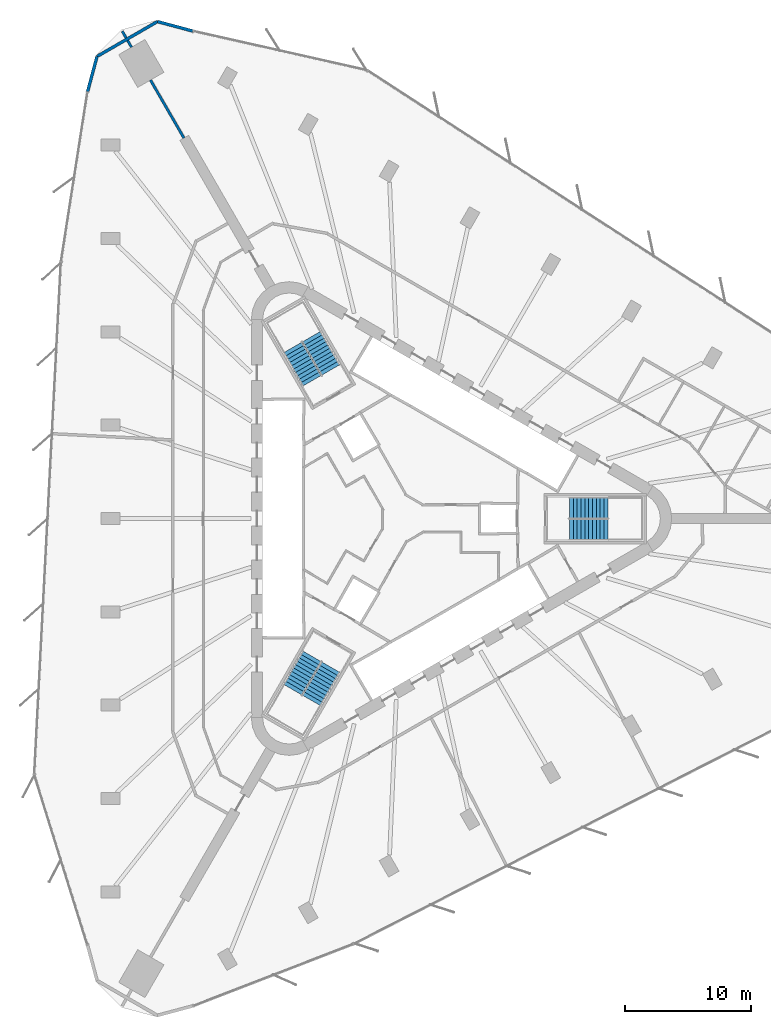
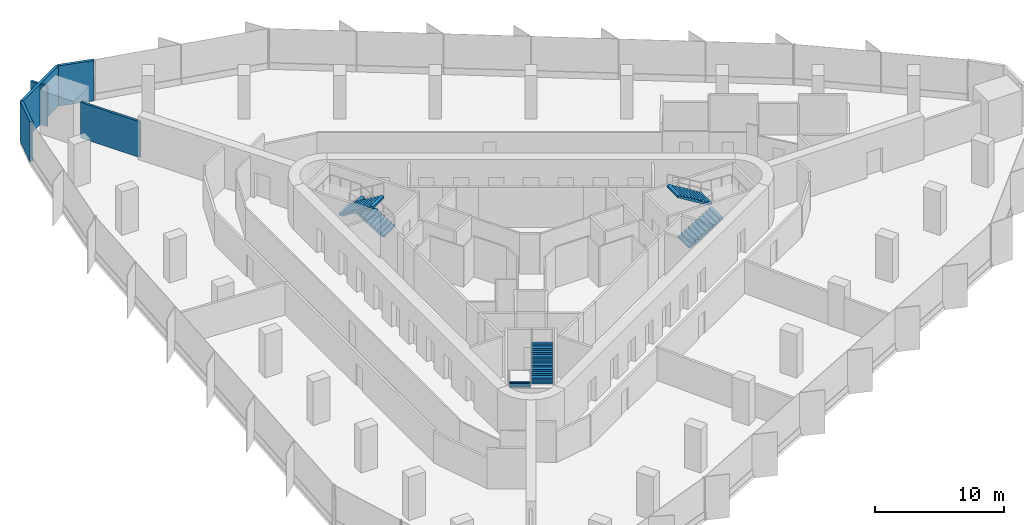
# One storey, part 13 of 14: 6 stair flights, 6 walls, 3 elements without a shape of their own.
"""IFC4 building model written with IfcOpenShell, lengths in metres."""

from ifc_helpers import new_model, si_unit, direction, frame, frame_2d, origin, place, context, subcontext, project, spatial, polyline, rectangle, outline, extrude, material, layer, layer_set, type_object, element, aggregate, save


model = new_model("IFC4")

# Units and contexts
model_context = context("Model", 3, precision=1e-05, world=origin(), true_north=direction((0.0, 1.0)))
body_context = subcontext(model_context, "Body", "Model", "MODEL_VIEW")
ifc_project = project(units=[si_unit("LENGTHUNIT", "METRE"), si_unit("AREAUNIT", "SQUARE_METRE"), si_unit("VOLUMEUNIT", "CUBIC_METRE"), si_unit("PLANEANGLEUNIT", "RADIAN"), si_unit("MASSUNIT", "GRAM", prefix="KILO")], contexts=[model_context])

# Site, building, storey
site_placement = place(None, origin())
site = spatial("IfcSite", under=ifc_project, at=site_placement, CompositionType="ELEMENT")
building_placement = place(site_placement, origin())
building = spatial("IfcBuilding", under=site, at=building_placement, Name="Tanit Gate Tower", CompositionType="ELEMENT")
storey_placement = place(building_placement, frame((0.0, 0.0, 78.300048828125)))
storey = spatial("IfcBuildingStorey", under=building, at=storey_placement, Name="L15", CompositionType="ELEMENT", Elevation=78.300048828125)

# Walls
ifc_material_1 = material(Name="Concrete C30/37 with bronze anodised aluminium cladding", Category="concrete")
ifc_layer_1 = layer(ifc_material_1, 0.239990234375)
ifc_layer_set_1 = layer_set([ifc_layer_1], Name="Facade wall bronze clad 240")
wall_type_1 = type_object("IfcWallType", Name="Facade wall bronze clad 240", PredefinedType="SOLIDWALL", material=ifc_layer_set_1)
wall_1_placement = place(storey_placement, frame((-16.7314453125, 38.608642578125, 0.0), z_axis=(0.0, 0.0, 1.0), x_axis=(-0.965920971701, 0.258837161991, 0.0)))
element("IfcWall", 1, at=wall_1_placement, inside=storey, type_object=wall_type_1, Name="Bronze-clad facade wall L15 NW.arc1", PredefinedType="SOLIDWALL", context=body_context, shape_type="SweptSolid", body=[
    extrude(rectangle(XDim=2.8974609375, YDim=0.239990234375, at=frame_2d((1.44873046875, 0.0))), origin(), (0.0, 0.0, 1.0), 3.800048828125),
])
wall_2_placement = place(storey_placement, frame((-19.5302734375, 39.358642578125, 0.0), z_axis=(0.0, 0.0, 1.0), x_axis=(-0.866017993231, -0.500012835235, 0.0)))
element("IfcWall", 2, at=wall_2_placement, inside=storey, type_object=wall_type_1, Name="Bronze-clad facade wall L15 NW.arc2", PredefinedType="SOLIDWALL", context=body_context, shape_type="SweptSolid", body=[
    extrude(rectangle(XDim=5.531005859375, YDim=0.239990234375, at=frame_2d((2.765625, 0.0))), origin(), (0.0, 0.0, 1.0), 3.800048828125),
])
wall_3_placement = place(storey_placement, frame((-24.3203125, 36.593017578125, 0.0), z_axis=(0.0, 0.0, 1.0), x_axis=(-0.258867040904, -0.965912964575, 0.0)))
element("IfcWall", 3, at=wall_3_placement, inside=storey, type_object=wall_type_1, Name="Bronze-clad facade wall L15 NW.arc3", PredefinedType="SOLIDWALL", context=body_context, shape_type="SweptSolid", body=[
    extrude(rectangle(XDim=2.888671875, YDim=0.239990234375, at=frame_2d((1.4443359375, 0.0))), origin(), (0.0, 0.0, 1.0), 3.800048828125),
])
ifc_material_2 = material(Name="Fire-rated gypsum board partition")
ifc_layer_2 = layer(ifc_material_2, 0.199951171875)
ifc_layer_set_2 = layer_set([ifc_layer_2], Name="INT-WALL-COMPARTMENT")
wall_type_2 = type_object("IfcWallType", Name="INT-WALL-COMPARTMENT", PredefinedType="PARTITIONING", material=ifc_layer_set_2)
wall_4_placement = place(storey_placement, frame((-22.31787109375, 38.595703125, 0.0), z_axis=(0.0, 0.0, 1.0), x_axis=(0.500078582497, -0.865980029404, 0.0)))
element("IfcWall", 4, at=wall_4_placement, inside=storey, type_object=wall_type_2, Name="Wall Compartment W112", PredefinedType="PARTITIONING", context=body_context, shape_type="SweptSolid", body=[
    extrude(rectangle(XDim=0.61328125, YDim=0.199951171875, at=frame_2d((0.306640625, 0.0))), origin(), (0.0, 0.0, 1.0), 3.800048828125),
])
wall_5_placement = place(storey_placement, frame((-21.891357421875, 37.85693359375, 0.0), z_axis=(0.0, 0.0, 1.0), x_axis=(0.49994015576, -0.866059952115, 0.0)))
element("IfcWall", 5, at=wall_5_placement, inside=storey, type_object=wall_type_2, Name="Wall Compartment W112x1", PredefinedType="PARTITIONING", context=body_context, shape_type="SweptSolid", body=[
    extrude(rectangle(XDim=0.61474609375, YDim=0.199951171875, at=frame_2d((0.307373046875, 0.0))), origin(), (0.0, 0.0, 1.0), 3.800048828125),
])
wall_6_placement = place(storey_placement, frame((-20.083984375, 34.7265625, 0.0), z_axis=(0.0, 0.0, 1.0), x_axis=(0.499991120112, -0.86603053053, 0.0)))
element("IfcWall", 6, at=wall_6_placement, inside=storey, type_object=wall_type_2, Name="Wall Compartment W113", PredefinedType="PARTITIONING", context=body_context, shape_type="SweptSolid", body=[
    extrude(rectangle(XDim=5.29638671875, YDim=0.199951171875, at=frame_2d((2.648193359375, 0.0))), origin(), (0.0, 0.0, 1.0), 3.369873046875),
])

# Stair, stair flights
ifc_material_3 = material(Name="Concrete C40/50", Category="concrete")
stair_type = type_object("IfcStairType", Name="INT-STAIR-EXIT", PredefinedType="HALF_TURN_STAIR", material=ifc_material_3)
stair_1_placement = place(storey_placement, origin())
stair_1 = element("IfcStair", 7, at=stair_1_placement, inside=storey, type_object=stair_type, Name="L15 STAIR S1", PredefinedType="HALF_TURN_STAIR")
ifc_material_4 = material(Name="Concrete C40/50", Category="concrete")
stair_flight_type = type_object("IfcStairFlightType", Name="INT-STAIR-FLIGHT", PredefinedType="STRAIGHT", material=ifc_material_4)
stair_flight_1_placement = place(storey_placement, frame((13.094970703125, -0.8525390625, 0.0), z_axis=(0.0, 0.0, 1.0), x_axis=(1.0, 0.0, 0.0)))
stair_flight_1 = element("IfcStairFlight", 8, at=stair_flight_1_placement, type_object=stair_flight_type, Name="S1 flight 1", NumberOfRisers=11, NumberOfTreads=10, PredefinedType="STRAIGHT", RiserHeight=0.186363636, TreadLength=0.3051, context=body_context, shape_type="SweptSolid", body=[
    extrude(outline(polyline([(0.0, 0.0), (0.0, 0.186279296875), (0.30517578125, 0.186279296875), (0.30517578125, 0.372802734375), (0.610107421875, 0.372802734375), (0.610107421875, 0.55908203125), (0.915283203125, 0.55908203125), (0.915283203125, 0.745361328125), (1.220458984375, 0.745361328125), (1.220458984375, 0.931884765625), (1.525390625, 0.931884765625), (1.525390625, 1.1181640625), (1.83056640625, 1.1181640625), (1.83056640625, 1.304443359375), (2.1357421875, 1.304443359375), (2.1357421875, 1.490966796875), (2.44091796875, 1.490966796875), (2.44091796875, 1.67724609375), (2.745849609375, 1.67724609375), (2.745849609375, 1.863525390625), (3.051025390625, 1.863525390625), (3.051025390625, 2.050048828125), (3.051025390625, 1.68798828125), (0.28759765625, 0.0), (0.0, 0.0)])), frame((0.0, 0.84765625, 0.0), z_axis=(0.0, -1.0, 0.0), x_axis=(1.0, 0.0, 0.0)), (0.0, 0.0, 1.0), 1.695068359375),
])
stair_flight_2_placement = place(storey_placement, frame((16.14599609375, 0.8525390625, 2.050048828125), z_axis=(0.0, 0.0, 1.0), x_axis=(-1.0, 0.0, 0.0)))
stair_flight_2 = element("IfcStairFlight", 9, at=stair_flight_2_placement, type_object=stair_flight_type, Name="S1 flight 2", NumberOfRisers=11, NumberOfTreads=10, PredefinedType="STRAIGHT", RiserHeight=0.186363636, TreadLength=0.3051, context=body_context, shape_type="SweptSolid", body=[
    extrude(outline(polyline([(0.0, 0.0), (0.0, 0.186279296875), (0.30517578125, 0.186279296875), (0.30517578125, 0.372802734375), (0.610107421875, 0.372802734375), (0.610107421875, 0.55908203125), (0.915283203125, 0.55908203125), (0.915283203125, 0.745361328125), (1.220458984375, 0.745361328125), (1.220458984375, 0.931884765625), (1.525390625, 0.931884765625), (1.525390625, 1.1181640625), (1.83056640625, 1.1181640625), (1.83056640625, 1.304443359375), (2.1357421875, 1.304443359375), (2.1357421875, 1.490966796875), (2.44091796875, 1.490966796875), (2.44091796875, 1.67724609375), (2.745849609375, 1.67724609375), (2.745849609375, 1.863525390625), (3.051025390625, 1.863525390625), (3.051025390625, 2.050048828125), (3.051025390625, 1.68798828125), (0.28759765625, 0.0), (0.0, 0.0)])), frame((0.0, 0.84765625, 0.0), z_axis=(0.0, -1.0, 0.0), x_axis=(1.0, 0.0, 0.0)), (0.0, 0.0, 1.0), 1.695068359375),
])
aggregate(stair_1, [stair_flight_1, stair_flight_2])

stair_2_placement = place(storey_placement, origin())
stair_2 = element("IfcStair", 10, at=stair_2_placement, inside=storey, type_object=stair_type, Name="L15 STAIR S2", PredefinedType="HALF_TURN_STAIR")
stair_flight_3_placement = place(storey_placement, frame((-5.808349609375, 11.766357421875, 0.0), z_axis=(0.0, 0.0, 1.0), x_axis=(-0.5, 0.866025403784, 0.0)))
stair_flight_3 = element("IfcStairFlight", 11, at=stair_flight_3_placement, type_object=stair_flight_type, Name="S2 flight 1", NumberOfRisers=11, NumberOfTreads=10, PredefinedType="STRAIGHT", RiserHeight=0.186363636, TreadLength=0.30492, context=body_context, shape_type="SweptSolid", body=[
    extrude(outline(polyline([(0.0, 0.0), (0.0, 0.186279296875), (0.304931640625, 0.186279296875), (0.304931640625, 0.372802734375), (0.60986328125, 0.372802734375), (0.60986328125, 0.55908203125), (0.914794921875, 0.55908203125), (0.914794921875, 0.745361328125), (1.2197265625, 0.745361328125), (1.2197265625, 0.931884765625), (1.524658203125, 0.931884765625), (1.524658203125, 1.1181640625), (1.82958984375, 1.1181640625), (1.82958984375, 1.304443359375), (2.134521484375, 1.304443359375), (2.134521484375, 1.490966796875), (2.439453125, 1.490966796875), (2.439453125, 1.67724609375), (2.744384765625, 1.67724609375), (2.744384765625, 1.863525390625), (3.04931640625, 1.863525390625), (3.04931640625, 2.050048828125), (3.04931640625, 1.68798828125), (0.287353515625, 0.0), (0.0, 0.0)])), frame((0.0, 0.84716796875, 0.0), z_axis=(0.0, -1.0, 0.0), x_axis=(1.0, 0.0, 0.0)), (0.0, 0.0, 1.0), 1.694091796875),
])
stair_flight_4_placement = place(storey_placement, frame((-8.810302734375, 13.553955078125, 2.050048828125), z_axis=(0.0, 0.0, 1.0), x_axis=(0.5, -0.866025403784, 0.0)))
stair_flight_4 = element("IfcStairFlight", 12, at=stair_flight_4_placement, type_object=stair_flight_type, Name="S2 flight 2", NumberOfRisers=11, NumberOfTreads=10, PredefinedType="STRAIGHT", RiserHeight=0.186363636, TreadLength=0.30492, context=body_context, shape_type="SweptSolid", body=[
    extrude(outline(polyline([(0.0, 0.0), (0.0, 0.186279296875), (0.304931640625, 0.186279296875), (0.304931640625, 0.372802734375), (0.60986328125, 0.372802734375), (0.60986328125, 0.55908203125), (0.914794921875, 0.55908203125), (0.914794921875, 0.745361328125), (1.2197265625, 0.745361328125), (1.2197265625, 0.931884765625), (1.524658203125, 0.931884765625), (1.524658203125, 1.1181640625), (1.82958984375, 1.1181640625), (1.82958984375, 1.304443359375), (2.134521484375, 1.304443359375), (2.134521484375, 1.490966796875), (2.439453125, 1.490966796875), (2.439453125, 1.67724609375), (2.744384765625, 1.67724609375), (2.744384765625, 1.863525390625), (3.04931640625, 1.863525390625), (3.04931640625, 2.050048828125), (3.04931640625, 1.68798828125), (0.287353515625, 0.0), (0.0, 0.0)])), frame((0.0, 0.84716796875, 0.0), z_axis=(0.0, -1.0, 0.0), x_axis=(1.0, 0.0, 0.0)), (0.0, 0.0, 1.0), 1.694091796875),
])
aggregate(stair_2, [stair_flight_3, stair_flight_4])

stair_3_placement = place(storey_placement, origin())
stair_3 = element("IfcStair", 13, at=stair_3_placement, inside=storey, type_object=stair_type, Name="L15 STAIR S3", PredefinedType="HALF_TURN_STAIR")
stair_flight_5_placement = place(storey_placement, frame((-7.285888671875, -10.914306640625, 0.0), z_axis=(0.0, 0.0, 1.0), x_axis=(-0.5, -0.866025403784, 0.0)))
stair_flight_5 = element("IfcStairFlight", 14, at=stair_flight_5_placement, type_object=stair_flight_type, Name="S3 flight 1", NumberOfRisers=11, NumberOfTreads=10, PredefinedType="STRAIGHT", RiserHeight=0.186363636, TreadLength=0.3051, context=body_context, shape_type="SweptSolid", body=[
    extrude(outline(polyline([(0.0, 0.0), (0.0, 0.186279296875), (0.30517578125, 0.186279296875), (0.30517578125, 0.372802734375), (0.610107421875, 0.372802734375), (0.610107421875, 0.55908203125), (0.915283203125, 0.55908203125), (0.915283203125, 0.745361328125), (1.220458984375, 0.745361328125), (1.220458984375, 0.931884765625), (1.525390625, 0.931884765625), (1.525390625, 1.1181640625), (1.83056640625, 1.1181640625), (1.83056640625, 1.304443359375), (2.1357421875, 1.304443359375), (2.1357421875, 1.490966796875), (2.44091796875, 1.490966796875), (2.44091796875, 1.67724609375), (2.745849609375, 1.67724609375), (2.745849609375, 1.863525390625), (3.051025390625, 1.863525390625), (3.051025390625, 2.050048828125), (3.051025390625, 1.68798828125), (0.28759765625, 0.0), (0.0, 0.0)])), frame((0.0, 0.84765625, 0.0), z_axis=(0.0, -1.0, 0.0), x_axis=(1.0, 0.0, 0.0)), (0.0, 0.0, 1.0), 1.695068359375),
])
stair_flight_6_placement = place(storey_placement, frame((-7.334716796875, -14.4091796875, 2.050048828125), z_axis=(0.0, 0.0, 1.0), x_axis=(0.5, 0.866025403784, 0.0)))
stair_flight_6 = element("IfcStairFlight", 15, at=stair_flight_6_placement, type_object=stair_flight_type, Name="S3 flight 2", NumberOfRisers=11, NumberOfTreads=10, PredefinedType="STRAIGHT", RiserHeight=0.186363636, TreadLength=0.3051, context=body_context, shape_type="SweptSolid", body=[
    extrude(outline(polyline([(0.0, 0.0), (0.0, 0.186279296875), (0.30517578125, 0.186279296875), (0.30517578125, 0.372802734375), (0.610107421875, 0.372802734375), (0.610107421875, 0.55908203125), (0.915283203125, 0.55908203125), (0.915283203125, 0.745361328125), (1.220458984375, 0.745361328125), (1.220458984375, 0.931884765625), (1.525390625, 0.931884765625), (1.525390625, 1.1181640625), (1.83056640625, 1.1181640625), (1.83056640625, 1.304443359375), (2.1357421875, 1.304443359375), (2.1357421875, 1.490966796875), (2.44091796875, 1.490966796875), (2.44091796875, 1.67724609375), (2.745849609375, 1.67724609375), (2.745849609375, 1.863525390625), (3.051025390625, 1.863525390625), (3.051025390625, 2.050048828125), (3.051025390625, 1.68798828125), (0.28759765625, 0.0), (0.0, 0.0)])), frame((0.0, 0.84765625, 0.0), z_axis=(0.0, -1.0, 0.0), x_axis=(1.0, 0.0, 0.0)), (0.0, 0.0, 1.0), 1.695068359375),
])
aggregate(stair_3, [stair_flight_5, stair_flight_6])

save(model, "model.ifc")
